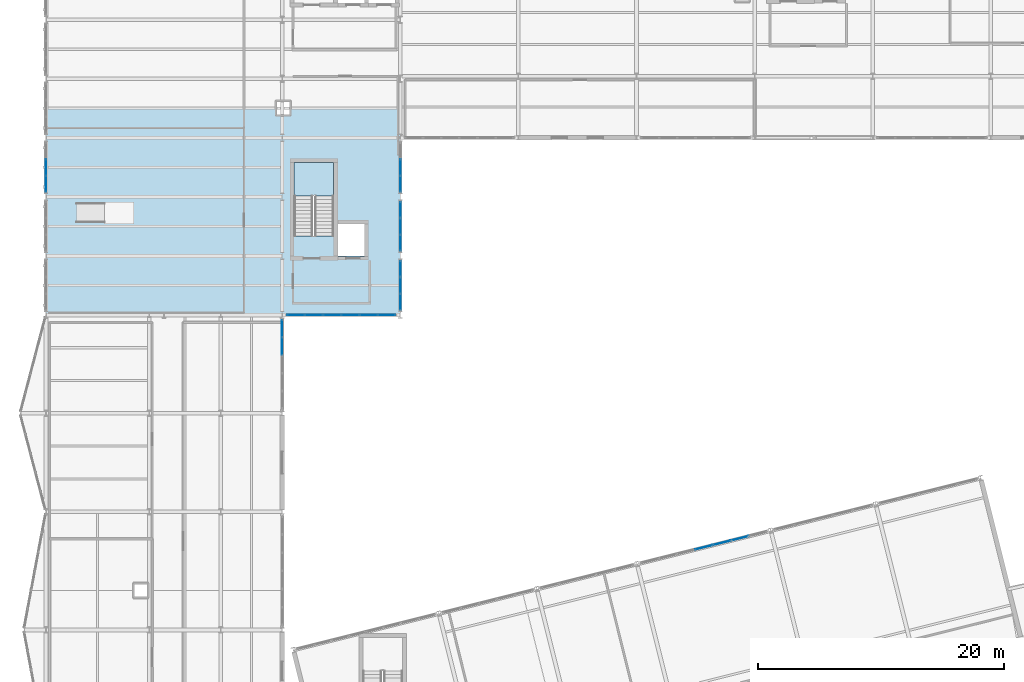
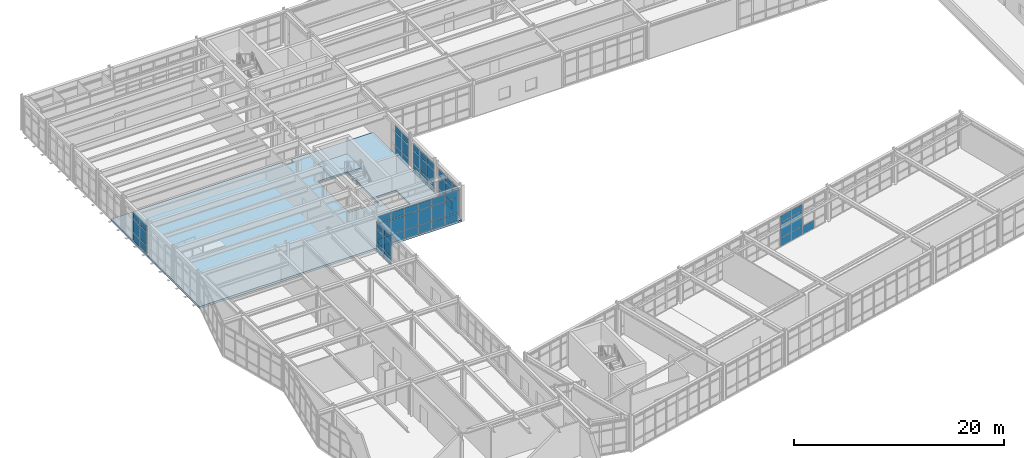
# One storey, part 50 of 76: 61 plates, 2 slabs, 8 elements without a shape of their own.
"""IFC4 building model written with IfcOpenShell, lengths in metres."""

import ifcopenshell
import ifcopenshell.guid

model = None  # the IFC model being written
_history = None  # IfcOwnerHistory: only IFC2X3 demands one
_inside = {}  # id of a spatial element -> (the spatial element, [elements in it])
_under = {}  # id of a project, library or spatial element -> (it, [spatial elements below it])
_declared = {}  # id of a project -> (the project, [libraries it declares])
_typed = {}  # id of a type object -> (the type object, [elements of that type])
_made_of = {}  # id of a material, layer set ... -> (it, [elements and type objects made of it])


def new_model(schema):
    """Start an empty IFC model of exactly this schema.

    Asked for "IFC4X3", IfcOpenShell would pick the latest addendum, in which some entities
    have other attributes; the version numbers below select the first issue.
    IFC2X3 requires an IfcOwnerHistory on every rooted entity: one is made here for all.
    """
    global model, _history
    if schema == "IFC4X3":
        model = ifcopenshell.file(schema_version=(4, 3, 0, 0))
    else:
        model = ifcopenshell.file(schema=schema)
    _inside.clear()
    _under.clear()
    _declared.clear()
    _typed.clear()
    _made_of.clear()
    _history = None
    if model.schema == "IFC2X3":
        org = make("IfcOrganization", Name="unknown")
        user = make(
            "IfcPersonAndOrganization",
            ThePerson=make("IfcPerson", FamilyName="unknown"),
            TheOrganization=org,
        )
        app = make(
            "IfcApplication",
            ApplicationDeveloper=org,
            Version="unknown",
            ApplicationFullName="unknown",
            ApplicationIdentifier="unknown",
        )
        _history = make(
            "IfcOwnerHistory",
            OwningUser=user,
            OwningApplication=app,
            ChangeAction="ADDED",
            CreationDate=0,
        )
    return model


def make(cls, **values):
    """One entity of the class cls with the attributes given. An attribute that is None is left unset."""
    return model.create_entity(
        cls, **{name: value for name, value in values.items() if value is not None}
    )


def rooted(cls, **values):
    """An entity with a GlobalId (a new one), such as an element, a storey or a relation."""
    return make(cls, GlobalId=ifcopenshell.guid.new(), OwnerHistory=_history, **values)


def si_unit(unit_type, name, prefix=None):
    """IfcSIUnit, for example si_unit("LENGTHUNIT", "METRE", prefix="MILLI")."""
    return make("IfcSIUnit", UnitType=unit_type, Prefix=prefix, Name=name)


def assignment(units):
    """IfcUnitAssignment: the units of a project."""
    return None if units is None else make("IfcUnitAssignment", Units=units)


def point(xyz):
    """IfcCartesianPoint."""
    return None if xyz is None else make("IfcCartesianPoint", Coordinates=xyz)


def direction(xyz):
    """IfcDirection."""
    return None if xyz is None else make("IfcDirection", DirectionRatios=xyz)


def frame(location, z_axis=None, x_axis=None):
    """IfcAxis2Placement3D, a coordinate frame: its origin and axes. An axis left out is left unset."""
    return make(
        "IfcAxis2Placement3D",
        Location=point(location),
        Axis=direction(z_axis),
        RefDirection=direction(x_axis),
    )


def frame_2d(location, x_axis=None):
    """IfcAxis2Placement2D, a coordinate frame in the plane: its origin and x axis."""
    return make(
        "IfcAxis2Placement2D", Location=point(location), RefDirection=direction(x_axis)
    )


def origin():
    """The frame at (0, 0, 0) with its axes left unset."""
    return frame((0.0, 0.0, 0.0))


def origin_2d():
    """The frame at (0, 0) in the plane with its x axis left unset."""
    return frame_2d((0.0, 0.0))


def place(relative_to, where):
    """IfcLocalPlacement: puts the frame where relative to a parent placement (None: the world)."""
    return make(
        "IfcLocalPlacement", PlacementRelTo=relative_to, RelativePlacement=where
    )


def context(
    kind, dimensions, precision=None, world=None, true_north=None, identifier=None
):
    """IfcGeometricRepresentationContext, for example the 3D "Model" context."""
    return make(
        "IfcGeometricRepresentationContext",
        ContextIdentifier=identifier,
        ContextType=kind,
        CoordinateSpaceDimension=dimensions,
        Precision=precision,
        WorldCoordinateSystem=world,
        TrueNorth=true_north,
    )


def subcontext(parent, identifier, kind, view, scale=None):
    """IfcGeometricRepresentationSubContext, for example "Body" below "Model"."""
    return make(
        "IfcGeometricRepresentationSubContext",
        ContextIdentifier=identifier,
        ContextType=kind,
        ParentContext=parent,
        TargetScale=scale,
        TargetView=view,
    )


def project(units=None, contexts=None):
    """IfcProject with its units and contexts."""
    return rooted(
        "IfcProject",
        Name="project",
        RepresentationContexts=contexts,
        UnitsInContext=assignment(units),
    )


def spatial(cls, under=None, at=None, **own):
    """A site, building, storey or space (cls), placed at a placement, below another one or the project."""
    s = rooted(cls, ObjectPlacement=at, **own)
    if under is not None:
        _under.setdefault(under.id(), (under, []))[1].append(s)
    return s


def polyline(points):
    """IfcPolyline through the points."""
    return make("IfcPolyline", Points=[point(p) for p in points])


def profile(cls, at=None, kind="AREA", **sizes):
    """A parametric profile (cls). Its sizes go by their IFC names, for example OverallWidth=200.0."""
    return make(cls, ProfileType=kind, Position=at, **sizes)


def rectangle(**sizes):
    """IfcRectangleProfileDef."""
    return profile("IfcRectangleProfileDef", **sizes)


def outline(outer, holes=None, kind="AREA"):
    """IfcArbitraryClosedProfileDef: a profile drawn as a closed curve; with holes, ...WithVoids."""
    if holes is None:
        return make("IfcArbitraryClosedProfileDef", ProfileType=kind, OuterCurve=outer)
    return make(
        "IfcArbitraryProfileDefWithVoids",
        ProfileType=kind,
        OuterCurve=outer,
        InnerCurves=holes,
    )


def extrude(swept, where, along, depth):
    """IfcExtrudedAreaSolid: the profile swept, set in the frame where, extruded along a direction by depth."""
    return make(
        "IfcExtrudedAreaSolid",
        SweptArea=swept,
        Position=where,
        ExtrudedDirection=direction(along),
        Depth=depth,
    )


def shape(context_of_items, identifier, shape_type, items):
    """IfcShapeRepresentation: the items that make up one representation, for example the "Body"."""
    return make(
        "IfcShapeRepresentation",
        ContextOfItems=context_of_items,
        RepresentationIdentifier=identifier,
        RepresentationType=shape_type,
        Items=items,
    )


def material(Name=None, Category=None):
    """IfcMaterial."""
    return make("IfcMaterial", Name=Name, Category=Category)


def layer(
    of_material, thickness, ventilated=None, Name=None, Category=None, Priority=None
):
    """IfcMaterialLayer: one layer of a wall or slab, of a material (None: an air gap)."""
    return make(
        "IfcMaterialLayer",
        Material=of_material,
        LayerThickness=thickness,
        IsVentilated=ventilated,
        Name=Name,
        Category=Category,
        Priority=Priority,
    )


def layer_set(layers, Name=None):
    """IfcMaterialLayerSet."""
    return make("IfcMaterialLayerSet", MaterialLayers=layers, LayerSetName=Name)


def made_of(thing, what):
    """Note that an element or type object is made of a material, layer set ...; save() writes the relation."""
    if what is not None:
        _made_of.setdefault(what.id(), (what, []))[1].append(thing)
    return thing


def type_object(cls, material=None, **own):
    """A type object (cls), such as IfcWallType, which elements share."""
    return made_of(rooted(cls, **own), material)


def element(
    cls,
    number,
    at=None,
    inside=None,
    cuts=None,
    type_object=None,
    material=None,
    context=None,
    identifier="Body",
    shape_type=None,
    held_by="IfcProductDefinitionShape",
    body=None,
    shapes=None,
    **own,
):
    """One element of the class cls, such as IfcWall. Its Tag is "e" and its number.

    at: its placement. inside: the storey or other place that contains it. cuts: it is an
    opening in that element (IfcRelVoidsElement). A single representation is given by context,
    identifier, shape_type and body (its items); several are given by shapes. held_by: the class
    of the entity that holds the representations. save() writes the other relations.
    """
    e = rooted(cls, Tag="e%d" % number, ObjectPlacement=at, **own)
    if body is not None:
        shapes = [shape(context, identifier, shape_type, body)]
    if shapes is not None:
        e.Representation = make(held_by, Representations=shapes)
    if inside is not None:
        _inside.setdefault(inside.id(), (inside, []))[1].append(e)
    if cuts is not None:
        rooted(
            "IfcRelVoidsElement", RelatingBuildingElement=cuts, RelatedOpeningElement=e
        )
    if type_object is not None:
        _typed.setdefault(type_object.id(), (type_object, []))[1].append(e)
    return made_of(e, material)


def aggregate(whole, parts):
    """IfcRelAggregates: a whole, such as a stair, and the parts it consists of."""
    return rooted("IfcRelAggregates", RelatingObject=whole, RelatedObjects=parts)


def save(model, path):
    """Write the relations noted so far, then the file.

    IfcRelAggregates (storeys below a building ...), IfcRelContainedInSpatialStructure (elements
    in a storey), IfcRelDefinesByType, IfcRelAssociatesMaterial and IfcRelDeclares: one each for
    every whole, place, type object, material and project.
    """
    for whole, parts in _under.values():
        aggregate(whole, parts)
    for where, things in _inside.values():
        rooted(
            "IfcRelContainedInSpatialStructure",
            RelatedElements=things,
            RelatingStructure=where,
        )
    for kind, things in _typed.values():
        rooted("IfcRelDefinesByType", RelatedObjects=things, RelatingType=kind)
    for what, things in _made_of.values():
        rooted("IfcRelAssociatesMaterial", RelatedObjects=things, RelatingMaterial=what)
    for by, libraries in _declared.values():
        rooted("IfcRelDeclares", RelatingContext=by, RelatedDefinitions=libraries)
    model.write(path)


model = new_model("IFC4")

# Units and contexts
model_context = context("Model", 3, precision=1e-05, world=origin(), true_north=direction((0.0, 1.0)))
body_context = subcontext(model_context, "Body", "Model", "MODEL_VIEW")
ifc_project = project(units=[si_unit("LENGTHUNIT", "METRE"), si_unit("AREAUNIT", "SQUARE_METRE"), si_unit("VOLUMEUNIT", "CUBIC_METRE"), si_unit("PLANEANGLEUNIT", "RADIAN"), si_unit("MASSUNIT", "GRAM", prefix="KILO")], contexts=[model_context])

# Site, building, storey
site_placement = place(None, origin())
site = spatial("IfcSite", under=ifc_project, at=site_placement, CompositionType="ELEMENT")
building_placement = place(site_placement, origin())
building = spatial("IfcBuilding", under=site, at=building_placement, Name="Nordkorset Police Headquarters", CompositionType="ELEMENT")
storey_placement = place(building_placement, frame((0.0, 0.0, 13.64990234375)))
storey = spatial("IfcBuildingStorey", under=building, at=storey_placement, Name="L03", CompositionType="ELEMENT", Elevation=13.64990234375)

# Curtain wall, plates
ifc_material_1 = material(Name="Aluminium alloy AW-6060", Category="aluminium")
ifc_layer_1 = layer(ifc_material_1, 0.179931640625, Name="Aluminium alloy AW-6060")
ifc_layer_set_1 = layer_set([ifc_layer_1], Name="Aluminium alloy AW-6060")
curtain_wall_type_1 = type_object("IfcCurtainWallType", Name="CW_Unit_408x342", PredefinedType="USERDEFINED", material=ifc_layer_set_1)
curtain_wall_1_placement = place(storey_placement, origin())
curtain_wall_1 = element("IfcCurtainWall", 1, at=curtain_wall_1_placement, inside=storey, type_object=curtain_wall_type_1, Name="Unitised Curtain Wall L03 V1W-2", ObjectType="UNITISED CURTAIN WALL", PredefinedType="USERDEFINED")
ifc_material_2 = material(Name="Low-iron triple glazing", Category="glass")
ifc_layer_2 = layer(ifc_material_2, 0.035888671875, Name="Low-iron triple glazing")
ifc_layer_set_2 = layer_set([ifc_layer_2], Name="Low-iron triple glazing")
plate_type = type_object("IfcPlateType", Name="CW_Panel_TripleGlazing_36", PredefinedType="CURTAIN_PANEL", material=ifc_layer_set_2)
plate_1_placement = place(storey_placement, frame((0.0, 93.856201171875, 0.06494140625), z_axis=(0.0, 0.0, 1.0), x_axis=(0.0, 1.0, 0.0)))
plate_1 = element("IfcPlate", 2, at=plate_1_placement, type_object=plate_type, Name="CW-72 panel 1.1", PredefinedType="CURTAIN_PANEL", context=body_context, shape_type="SweptSolid", body=[
    extrude(rectangle(XDim=1.262451171875, YDim=0.035888671875, at=origin_2d()), origin(), (0.0, 0.0, 1.0), 0.902587890625),
])
plate_2_placement = place(storey_placement, frame((0.0, 93.856201171875, 1.03271484375), z_axis=(0.0, 0.0, 1.0), x_axis=(0.0, 1.0, 0.0)))
plate_2 = element("IfcPlate", 3, at=plate_2_placement, type_object=plate_type, Name="CW-72 panel 1.2", PredefinedType="CURTAIN_PANEL", context=body_context, shape_type="SweptSolid", body=[
    extrude(rectangle(XDim=1.262451171875, YDim=0.035888671875, at=origin_2d()), origin(), (0.0, 0.0, 1.0), 1.5048828125),
])
plate_3_placement = place(storey_placement, frame((0.0, 93.856201171875, 2.6025390625), z_axis=(0.0, 0.0, 1.0), x_axis=(0.0, 1.0, 0.0)))
plate_3 = element("IfcPlate", 4, at=plate_3_placement, type_object=plate_type, Name="CW-72 panel 1.3", PredefinedType="CURTAIN_PANEL", context=body_context, shape_type="SweptSolid", body=[
    extrude(rectangle(XDim=1.262451171875, YDim=0.035888671875, at=origin_2d()), origin(), (0.0, 0.0, 1.0), 0.75244140625),
])
plate_4_placement = place(storey_placement, frame((0.0, 95.199951171875, 0.06494140625), z_axis=(0.0, 0.0, 1.0), x_axis=(0.0, 1.0, 0.0)))
plate_4 = element("IfcPlate", 5, at=plate_4_placement, type_object=plate_type, Name="CW-72 panel 2.1", PredefinedType="CURTAIN_PANEL", context=body_context, shape_type="SweptSolid", body=[
    extrude(rectangle(XDim=1.294921875, YDim=0.035888671875, at=origin_2d()), origin(), (0.0, 0.0, 1.0), 0.902587890625),
])
plate_5_placement = place(storey_placement, frame((0.0, 95.199951171875, 1.03271484375), z_axis=(0.0, 0.0, 1.0), x_axis=(0.0, 1.0, 0.0)))
plate_5 = element("IfcPlate", 6, at=plate_5_placement, type_object=plate_type, Name="CW-72 panel 2.2", PredefinedType="CURTAIN_PANEL", context=body_context, shape_type="SweptSolid", body=[
    extrude(rectangle(XDim=1.294921875, YDim=0.035888671875, at=origin_2d()), origin(), (0.0, 0.0, 1.0), 1.5048828125),
])
plate_6_placement = place(storey_placement, frame((0.0, 95.199951171875, 2.6025390625), z_axis=(0.0, 0.0, 1.0), x_axis=(0.0, 1.0, 0.0)))
plate_6 = element("IfcPlate", 7, at=plate_6_placement, type_object=plate_type, Name="CW-72 panel 2.3", PredefinedType="CURTAIN_PANEL", context=body_context, shape_type="SweptSolid", body=[
    extrude(rectangle(XDim=1.294921875, YDim=0.035888671875, at=origin_2d()), origin(), (0.0, 0.0, 1.0), 0.75244140625),
])
aggregate(curtain_wall_1, [plate_1, plate_2, plate_3, plate_4, plate_5, plate_6])

curtain_wall_2_placement = place(storey_placement, origin())
curtain_wall_2 = element("IfcCurtainWall", 8, at=curtain_wall_2_placement, inside=storey, type_object=curtain_wall_type_1, Name="Unitised Curtain Wall L03 V1E-0", ObjectType="UNITISED CURTAIN WALL", PredefinedType="USERDEFINED")
plate_7_placement = place(storey_placement, frame((28.800048828125, 84.25634765625, 0.06494140625), z_axis=(0.0, 0.0, 1.0), x_axis=(0.0, 1.0, 0.0)))
plate_7 = element("IfcPlate", 9, at=plate_7_placement, type_object=plate_type, Name="CW-72 panel 1.1", PredefinedType="CURTAIN_PANEL", context=body_context, shape_type="SweptSolid", body=[
    extrude(rectangle(XDim=1.262451171875, YDim=0.035888671875, at=origin_2d()), origin(), (0.0, 0.0, 1.0), 0.902587890625),
])
plate_8_placement = place(storey_placement, frame((28.800048828125, 84.25634765625, 1.03271484375), z_axis=(0.0, 0.0, 1.0), x_axis=(0.0, 1.0, 0.0)))
plate_8 = element("IfcPlate", 10, at=plate_8_placement, type_object=plate_type, Name="CW-72 panel 1.2", PredefinedType="CURTAIN_PANEL", context=body_context, shape_type="SweptSolid", body=[
    extrude(rectangle(XDim=1.262451171875, YDim=0.035888671875, at=origin_2d()), origin(), (0.0, 0.0, 1.0), 1.5048828125),
])
plate_9_placement = place(storey_placement, frame((28.800048828125, 84.25634765625, 2.6025390625), z_axis=(0.0, 0.0, 1.0), x_axis=(0.0, 1.0, 0.0)))
plate_9 = element("IfcPlate", 11, at=plate_9_placement, type_object=plate_type, Name="CW-72 panel 1.3", PredefinedType="CURTAIN_PANEL", context=body_context, shape_type="SweptSolid", body=[
    extrude(rectangle(XDim=1.262451171875, YDim=0.035888671875, at=origin_2d()), origin(), (0.0, 0.0, 1.0), 0.75244140625),
])
plate_10_placement = place(storey_placement, frame((28.800048828125, 85.60009765625, 0.06494140625), z_axis=(0.0, 0.0, 1.0), x_axis=(0.0, 1.0, 0.0)))
plate_10 = element("IfcPlate", 12, at=plate_10_placement, type_object=plate_type, Name="CW-72 panel 2.1", PredefinedType="CURTAIN_PANEL", context=body_context, shape_type="SweptSolid", body=[
    extrude(rectangle(XDim=1.294921875, YDim=0.035888671875, at=origin_2d()), origin(), (0.0, 0.0, 1.0), 0.902587890625),
])
plate_11_placement = place(storey_placement, frame((28.800048828125, 85.60009765625, 1.03271484375), z_axis=(0.0, 0.0, 1.0), x_axis=(0.0, 1.0, 0.0)))
plate_11 = element("IfcPlate", 13, at=plate_11_placement, type_object=plate_type, Name="CW-72 panel 2.2", PredefinedType="CURTAIN_PANEL", context=body_context, shape_type="SweptSolid", body=[
    extrude(rectangle(XDim=1.294921875, YDim=0.035888671875, at=origin_2d()), origin(), (0.0, 0.0, 1.0), 1.5048828125),
])
plate_12_placement = place(storey_placement, frame((28.800048828125, 85.60009765625, 2.6025390625), z_axis=(0.0, 0.0, 1.0), x_axis=(0.0, 1.0, 0.0)))
plate_12 = element("IfcPlate", 14, at=plate_12_placement, type_object=plate_type, Name="CW-72 panel 2.3", PredefinedType="CURTAIN_PANEL", context=body_context, shape_type="SweptSolid", body=[
    extrude(rectangle(XDim=1.294921875, YDim=0.035888671875, at=origin_2d()), origin(), (0.0, 0.0, 1.0), 0.75244140625),
])
plate_13_placement = place(storey_placement, frame((28.800048828125, 86.94384765625, 0.06494140625), z_axis=(0.0, 0.0, 1.0), x_axis=(0.0, 1.0, 0.0)))
plate_13 = element("IfcPlate", 15, at=plate_13_placement, type_object=plate_type, Name="CW-72 panel 3.1", PredefinedType="CURTAIN_PANEL", context=body_context, shape_type="SweptSolid", body=[
    extrude(rectangle(XDim=1.262451171875, YDim=0.035888671875, at=origin_2d()), origin(), (0.0, 0.0, 1.0), 0.902587890625),
])
plate_14_placement = place(storey_placement, frame((28.800048828125, 86.94384765625, 1.03271484375), z_axis=(0.0, 0.0, 1.0), x_axis=(0.0, 1.0, 0.0)))
plate_14 = element("IfcPlate", 16, at=plate_14_placement, type_object=plate_type, Name="CW-72 panel 3.2", PredefinedType="CURTAIN_PANEL", context=body_context, shape_type="SweptSolid", body=[
    extrude(rectangle(XDim=1.262451171875, YDim=0.035888671875, at=origin_2d()), origin(), (0.0, 0.0, 1.0), 1.5048828125),
])
plate_15_placement = place(storey_placement, frame((28.800048828125, 86.94384765625, 2.6025390625), z_axis=(0.0, 0.0, 1.0), x_axis=(0.0, 1.0, 0.0)))
plate_15 = element("IfcPlate", 17, at=plate_15_placement, type_object=plate_type, Name="CW-72 panel 3.3", PredefinedType="CURTAIN_PANEL", context=body_context, shape_type="SweptSolid", body=[
    extrude(rectangle(XDim=1.262451171875, YDim=0.035888671875, at=origin_2d()), origin(), (0.0, 0.0, 1.0), 0.75244140625),
])
aggregate(curtain_wall_2, [plate_7, plate_8, plate_9, plate_10, plate_11, plate_12, plate_13, plate_14, plate_15])

curtain_wall_3_placement = place(storey_placement, origin())
curtain_wall_3 = element("IfcCurtainWall", 18, at=curtain_wall_3_placement, inside=storey, type_object=curtain_wall_type_1, Name="Unitised Curtain Wall L03 V1E-1", ObjectType="UNITISED CURTAIN WALL", PredefinedType="USERDEFINED")
plate_16_placement = place(storey_placement, frame((28.800048828125, 89.05615234375, 0.06494140625), z_axis=(0.0, 0.0, 1.0), x_axis=(0.0, 1.0, 0.0)))
plate_16 = element("IfcPlate", 19, at=plate_16_placement, type_object=plate_type, Name="CW-72 panel 1.1", PredefinedType="CURTAIN_PANEL", context=body_context, shape_type="SweptSolid", body=[
    extrude(rectangle(XDim=1.262451171875, YDim=0.035888671875, at=origin_2d()), origin(), (0.0, 0.0, 1.0), 0.902587890625),
])
plate_17_placement = place(storey_placement, frame((28.800048828125, 89.05615234375, 1.03271484375), z_axis=(0.0, 0.0, 1.0), x_axis=(0.0, 1.0, 0.0)))
plate_17 = element("IfcPlate", 20, at=plate_17_placement, type_object=plate_type, Name="CW-72 panel 1.2", PredefinedType="CURTAIN_PANEL", context=body_context, shape_type="SweptSolid", body=[
    extrude(rectangle(XDim=1.262451171875, YDim=0.035888671875, at=origin_2d()), origin(), (0.0, 0.0, 1.0), 1.5048828125),
])
plate_18_placement = place(storey_placement, frame((28.800048828125, 89.05615234375, 2.6025390625), z_axis=(0.0, 0.0, 1.0), x_axis=(0.0, 1.0, 0.0)))
plate_18 = element("IfcPlate", 21, at=plate_18_placement, type_object=plate_type, Name="CW-72 panel 1.3", PredefinedType="CURTAIN_PANEL", context=body_context, shape_type="SweptSolid", body=[
    extrude(rectangle(XDim=1.262451171875, YDim=0.035888671875, at=origin_2d()), origin(), (0.0, 0.0, 1.0), 0.75244140625),
])
plate_19_placement = place(storey_placement, frame((28.800048828125, 90.39990234375, 0.06494140625), z_axis=(0.0, 0.0, 1.0), x_axis=(0.0, 1.0, 0.0)))
plate_19 = element("IfcPlate", 22, at=plate_19_placement, type_object=plate_type, Name="CW-72 panel 2.1", PredefinedType="CURTAIN_PANEL", context=body_context, shape_type="SweptSolid", body=[
    extrude(rectangle(XDim=1.294921875, YDim=0.035888671875, at=origin_2d()), origin(), (0.0, 0.0, 1.0), 0.902587890625),
])
plate_20_placement = place(storey_placement, frame((28.800048828125, 90.39990234375, 1.03271484375), z_axis=(0.0, 0.0, 1.0), x_axis=(0.0, 1.0, 0.0)))
plate_20 = element("IfcPlate", 23, at=plate_20_placement, type_object=plate_type, Name="CW-72 panel 2.2", PredefinedType="CURTAIN_PANEL", context=body_context, shape_type="SweptSolid", body=[
    extrude(rectangle(XDim=1.294921875, YDim=0.035888671875, at=origin_2d()), origin(), (0.0, 0.0, 1.0), 1.5048828125),
])
plate_21_placement = place(storey_placement, frame((28.800048828125, 90.39990234375, 2.6025390625), z_axis=(0.0, 0.0, 1.0), x_axis=(0.0, 1.0, 0.0)))
plate_21 = element("IfcPlate", 24, at=plate_21_placement, type_object=plate_type, Name="CW-72 panel 2.3", PredefinedType="CURTAIN_PANEL", context=body_context, shape_type="SweptSolid", body=[
    extrude(rectangle(XDim=1.294921875, YDim=0.035888671875, at=origin_2d()), origin(), (0.0, 0.0, 1.0), 0.75244140625),
])
plate_22_placement = place(storey_placement, frame((28.800048828125, 91.74365234375, 0.06494140625), z_axis=(0.0, 0.0, 1.0), x_axis=(0.0, 1.0, 0.0)))
plate_22 = element("IfcPlate", 25, at=plate_22_placement, type_object=plate_type, Name="CW-72 panel 3.1", PredefinedType="CURTAIN_PANEL", context=body_context, shape_type="SweptSolid", body=[
    extrude(rectangle(XDim=1.262451171875, YDim=0.035888671875, at=origin_2d()), origin(), (0.0, 0.0, 1.0), 0.902587890625),
])
plate_23_placement = place(storey_placement, frame((28.800048828125, 91.74365234375, 1.03271484375), z_axis=(0.0, 0.0, 1.0), x_axis=(0.0, 1.0, 0.0)))
plate_23 = element("IfcPlate", 26, at=plate_23_placement, type_object=plate_type, Name="CW-72 panel 3.2", PredefinedType="CURTAIN_PANEL", context=body_context, shape_type="SweptSolid", body=[
    extrude(rectangle(XDim=1.262451171875, YDim=0.035888671875, at=origin_2d()), origin(), (0.0, 0.0, 1.0), 1.5048828125),
])
plate_24_placement = place(storey_placement, frame((28.800048828125, 91.74365234375, 2.6025390625), z_axis=(0.0, 0.0, 1.0), x_axis=(0.0, 1.0, 0.0)))
plate_24 = element("IfcPlate", 27, at=plate_24_placement, type_object=plate_type, Name="CW-72 panel 3.3", PredefinedType="CURTAIN_PANEL", context=body_context, shape_type="SweptSolid", body=[
    extrude(rectangle(XDim=1.262451171875, YDim=0.035888671875, at=origin_2d()), origin(), (0.0, 0.0, 1.0), 0.75244140625),
])
aggregate(curtain_wall_3, [plate_16, plate_17, plate_18, plate_19, plate_20, plate_21, plate_22, plate_23, plate_24])

curtain_wall_4_placement = place(storey_placement, origin())
curtain_wall_4 = element("IfcCurtainWall", 28, at=curtain_wall_4_placement, inside=storey, type_object=curtain_wall_type_1, Name="Unitised Curtain Wall L03 V1E-2", ObjectType="UNITISED CURTAIN WALL", PredefinedType="USERDEFINED")
plate_25_placement = place(storey_placement, frame((28.800048828125, 93.856201171875, 0.06494140625), z_axis=(0.0, 0.0, 1.0), x_axis=(0.0, 1.0, 0.0)))
plate_25 = element("IfcPlate", 29, at=plate_25_placement, type_object=plate_type, Name="CW-72 panel 1.1", PredefinedType="CURTAIN_PANEL", context=body_context, shape_type="SweptSolid", body=[
    extrude(rectangle(XDim=1.262451171875, YDim=0.035888671875, at=origin_2d()), origin(), (0.0, 0.0, 1.0), 0.902587890625),
])
plate_26_placement = place(storey_placement, frame((28.800048828125, 93.856201171875, 1.03271484375), z_axis=(0.0, 0.0, 1.0), x_axis=(0.0, 1.0, 0.0)))
plate_26 = element("IfcPlate", 30, at=plate_26_placement, type_object=plate_type, Name="CW-72 panel 1.2", PredefinedType="CURTAIN_PANEL", context=body_context, shape_type="SweptSolid", body=[
    extrude(rectangle(XDim=1.262451171875, YDim=0.035888671875, at=origin_2d()), origin(), (0.0, 0.0, 1.0), 1.5048828125),
])
plate_27_placement = place(storey_placement, frame((28.800048828125, 93.856201171875, 2.6025390625), z_axis=(0.0, 0.0, 1.0), x_axis=(0.0, 1.0, 0.0)))
plate_27 = element("IfcPlate", 31, at=plate_27_placement, type_object=plate_type, Name="CW-72 panel 1.3", PredefinedType="CURTAIN_PANEL", context=body_context, shape_type="SweptSolid", body=[
    extrude(rectangle(XDim=1.262451171875, YDim=0.035888671875, at=origin_2d()), origin(), (0.0, 0.0, 1.0), 0.75244140625),
])
plate_28_placement = place(storey_placement, frame((28.800048828125, 95.199951171875, 0.06494140625), z_axis=(0.0, 0.0, 1.0), x_axis=(0.0, 1.0, 0.0)))
plate_28 = element("IfcPlate", 32, at=plate_28_placement, type_object=plate_type, Name="CW-72 panel 2.1", PredefinedType="CURTAIN_PANEL", context=body_context, shape_type="SweptSolid", body=[
    extrude(rectangle(XDim=1.294921875, YDim=0.035888671875, at=origin_2d()), origin(), (0.0, 0.0, 1.0), 0.902587890625),
])
plate_29_placement = place(storey_placement, frame((28.800048828125, 95.199951171875, 1.03271484375), z_axis=(0.0, 0.0, 1.0), x_axis=(0.0, 1.0, 0.0)))
plate_29 = element("IfcPlate", 33, at=plate_29_placement, type_object=plate_type, Name="CW-72 panel 2.2", PredefinedType="CURTAIN_PANEL", context=body_context, shape_type="SweptSolid", body=[
    extrude(rectangle(XDim=1.294921875, YDim=0.035888671875, at=origin_2d()), origin(), (0.0, 0.0, 1.0), 1.5048828125),
])
plate_30_placement = place(storey_placement, frame((28.800048828125, 95.199951171875, 2.6025390625), z_axis=(0.0, 0.0, 1.0), x_axis=(0.0, 1.0, 0.0)))
plate_30 = element("IfcPlate", 34, at=plate_30_placement, type_object=plate_type, Name="CW-72 panel 2.3", PredefinedType="CURTAIN_PANEL", context=body_context, shape_type="SweptSolid", body=[
    extrude(rectangle(XDim=1.294921875, YDim=0.035888671875, at=origin_2d()), origin(), (0.0, 0.0, 1.0), 0.75244140625),
])
aggregate(curtain_wall_4, [plate_25, plate_26, plate_27, plate_28, plate_29, plate_30])

ifc_material_3 = material(Name="Aluminium alloy AW-6060", Category="aluminium")
ifc_layer_3 = layer(ifc_material_3, 0.179931640625, Name="Aluminium alloy AW-6060")
ifc_layer_set_3 = layer_set([ifc_layer_3], Name="Aluminium alloy AW-6060")
curtain_wall_type_2 = type_object("IfcCurtainWallType", Name="CW_Unit_888x364", PredefinedType="USERDEFINED", material=ifc_layer_set_3)
curtain_wall_5_placement = place(storey_placement, origin())
curtain_wall_5 = element("IfcCurtainWall", 35, at=curtain_wall_5_placement, inside=storey, type_object=curtain_wall_type_2, Name="Unitised Curtain Wall L03 V1S-2", ObjectType="UNITISED CURTAIN WALL", PredefinedType="USERDEFINED")
plate_31_placement = place(storey_placement, frame((20.316162109375, 83.199951171875, 0.06494140625), z_axis=(0.0, 0.0, 1.0), x_axis=(1.0, 0.0, 0.0)))
plate_31 = element("IfcPlate", 36, at=plate_31_placement, type_object=plate_type, Name="CW-53 panel 1.1", PredefinedType="CURTAIN_PANEL", context=body_context, shape_type="SweptSolid", body=[
    extrude(rectangle(XDim=1.382568359375, YDim=0.035888671875, at=origin_2d()), origin(), (0.0, 0.0, 1.0), 0.902587890625),
])
plate_32_placement = place(storey_placement, frame((20.316162109375, 83.199951171875, 1.03271484375), z_axis=(0.0, 0.0, 1.0), x_axis=(1.0, 0.0, 0.0)))
plate_32 = element("IfcPlate", 37, at=plate_32_placement, type_object=plate_type, Name="CW-53 panel 1.2", PredefinedType="CURTAIN_PANEL", context=body_context, shape_type="SweptSolid", body=[
    extrude(rectangle(XDim=1.382568359375, YDim=0.035888671875, at=origin_2d()), origin(), (0.0, 0.0, 1.0), 1.719970703125),
])
plate_33_placement = place(storey_placement, frame((20.316162109375, 83.199951171875, 2.817626953125), z_axis=(0.0, 0.0, 1.0), x_axis=(1.0, 0.0, 0.0)))
plate_33 = element("IfcPlate", 38, at=plate_33_placement, type_object=plate_type, Name="CW-53 panel 1.3", PredefinedType="CURTAIN_PANEL", context=body_context, shape_type="SweptSolid", body=[
    extrude(rectangle(XDim=1.382568359375, YDim=0.035888671875, at=origin_2d()), origin(), (0.0, 0.0, 1.0), 0.75244140625),
])
plate_34_placement = place(storey_placement, frame((21.780029296875, 83.199951171875, 0.06494140625), z_axis=(0.0, 0.0, 1.0), x_axis=(1.0, 0.0, 0.0)))
plate_34 = element("IfcPlate", 39, at=plate_34_placement, type_object=plate_type, Name="CW-53 panel 2.1", PredefinedType="CURTAIN_PANEL", context=body_context, shape_type="SweptSolid", body=[
    extrude(rectangle(XDim=1.4150390625, YDim=0.035888671875, at=origin_2d()), origin(), (0.0, 0.0, 1.0), 0.902587890625),
])
plate_35_placement = place(storey_placement, frame((21.780029296875, 83.199951171875, 1.03271484375), z_axis=(0.0, 0.0, 1.0), x_axis=(1.0, 0.0, 0.0)))
plate_35 = element("IfcPlate", 40, at=plate_35_placement, type_object=plate_type, Name="CW-53 panel 2.2", PredefinedType="CURTAIN_PANEL", context=body_context, shape_type="SweptSolid", body=[
    extrude(rectangle(XDim=1.4150390625, YDim=0.035888671875, at=origin_2d()), origin(), (0.0, 0.0, 1.0), 1.719970703125),
])
plate_36_placement = place(storey_placement, frame((21.780029296875, 83.199951171875, 2.817626953125), z_axis=(0.0, 0.0, 1.0), x_axis=(1.0, 0.0, 0.0)))
plate_36 = element("IfcPlate", 41, at=plate_36_placement, type_object=plate_type, Name="CW-53 panel 2.3", PredefinedType="CURTAIN_PANEL", context=body_context, shape_type="SweptSolid", body=[
    extrude(rectangle(XDim=1.4150390625, YDim=0.035888671875, at=origin_2d()), origin(), (0.0, 0.0, 1.0), 0.75244140625),
])
plate_37_placement = place(storey_placement, frame((23.260009765625, 83.199951171875, 0.06494140625), z_axis=(0.0, 0.0, 1.0), x_axis=(1.0, 0.0, 0.0)))
plate_37 = element("IfcPlate", 42, at=plate_37_placement, type_object=plate_type, Name="CW-53 panel 3.1", PredefinedType="CURTAIN_PANEL", context=body_context, shape_type="SweptSolid", body=[
    extrude(rectangle(XDim=1.4150390625, YDim=0.035888671875, at=origin_2d()), origin(), (0.0, 0.0, 1.0), 0.902587890625),
])
plate_38_placement = place(storey_placement, frame((23.260009765625, 83.199951171875, 1.03271484375), z_axis=(0.0, 0.0, 1.0), x_axis=(1.0, 0.0, 0.0)))
plate_38 = element("IfcPlate", 43, at=plate_38_placement, type_object=plate_type, Name="CW-53 panel 3.2", PredefinedType="CURTAIN_PANEL", context=body_context, shape_type="SweptSolid", body=[
    extrude(rectangle(XDim=1.4150390625, YDim=0.035888671875, at=origin_2d()), origin(), (0.0, 0.0, 1.0), 1.719970703125),
])
plate_39_placement = place(storey_placement, frame((23.260009765625, 83.199951171875, 2.817626953125), z_axis=(0.0, 0.0, 1.0), x_axis=(1.0, 0.0, 0.0)))
plate_39 = element("IfcPlate", 44, at=plate_39_placement, type_object=plate_type, Name="CW-53 panel 3.3", PredefinedType="CURTAIN_PANEL", context=body_context, shape_type="SweptSolid", body=[
    extrude(rectangle(XDim=1.4150390625, YDim=0.035888671875, at=origin_2d()), origin(), (0.0, 0.0, 1.0), 0.75244140625),
])
plate_40_placement = place(storey_placement, frame((24.739990234375, 83.199951171875, 0.06494140625), z_axis=(0.0, 0.0, 1.0), x_axis=(1.0, 0.0, 0.0)))
plate_40 = element("IfcPlate", 45, at=plate_40_placement, type_object=plate_type, Name="CW-53 panel 4.1", PredefinedType="CURTAIN_PANEL", context=body_context, shape_type="SweptSolid", body=[
    extrude(rectangle(XDim=1.4150390625, YDim=0.035888671875, at=origin_2d()), origin(), (0.0, 0.0, 1.0), 0.902587890625),
])
plate_41_placement = place(storey_placement, frame((24.739990234375, 83.199951171875, 1.03271484375), z_axis=(0.0, 0.0, 1.0), x_axis=(1.0, 0.0, 0.0)))
plate_41 = element("IfcPlate", 46, at=plate_41_placement, type_object=plate_type, Name="CW-53 panel 4.2", PredefinedType="CURTAIN_PANEL", context=body_context, shape_type="SweptSolid", body=[
    extrude(rectangle(XDim=1.4150390625, YDim=0.035888671875, at=origin_2d()), origin(), (0.0, 0.0, 1.0), 1.719970703125),
])
plate_42_placement = place(storey_placement, frame((24.739990234375, 83.199951171875, 2.817626953125), z_axis=(0.0, 0.0, 1.0), x_axis=(1.0, 0.0, 0.0)))
plate_42 = element("IfcPlate", 47, at=plate_42_placement, type_object=plate_type, Name="CW-53 panel 4.3", PredefinedType="CURTAIN_PANEL", context=body_context, shape_type="SweptSolid", body=[
    extrude(rectangle(XDim=1.4150390625, YDim=0.035888671875, at=origin_2d()), origin(), (0.0, 0.0, 1.0), 0.75244140625),
])
plate_43_placement = place(storey_placement, frame((26.219970703125, 83.199951171875, 0.06494140625), z_axis=(0.0, 0.0, 1.0), x_axis=(1.0, 0.0, 0.0)))
plate_43 = element("IfcPlate", 48, at=plate_43_placement, type_object=plate_type, Name="CW-53 panel 5.1", PredefinedType="CURTAIN_PANEL", context=body_context, shape_type="SweptSolid", body=[
    extrude(rectangle(XDim=1.4150390625, YDim=0.035888671875, at=origin_2d()), origin(), (0.0, 0.0, 1.0), 0.902587890625),
])
plate_44_placement = place(storey_placement, frame((26.219970703125, 83.199951171875, 1.03271484375), z_axis=(0.0, 0.0, 1.0), x_axis=(1.0, 0.0, 0.0)))
plate_44 = element("IfcPlate", 49, at=plate_44_placement, type_object=plate_type, Name="CW-53 panel 5.2", PredefinedType="CURTAIN_PANEL", context=body_context, shape_type="SweptSolid", body=[
    extrude(rectangle(XDim=1.4150390625, YDim=0.035888671875, at=origin_2d()), origin(), (0.0, 0.0, 1.0), 1.719970703125),
])
plate_45_placement = place(storey_placement, frame((26.219970703125, 83.199951171875, 2.817626953125), z_axis=(0.0, 0.0, 1.0), x_axis=(1.0, 0.0, 0.0)))
plate_45 = element("IfcPlate", 50, at=plate_45_placement, type_object=plate_type, Name="CW-53 panel 5.3", PredefinedType="CURTAIN_PANEL", context=body_context, shape_type="SweptSolid", body=[
    extrude(rectangle(XDim=1.4150390625, YDim=0.035888671875, at=origin_2d()), origin(), (0.0, 0.0, 1.0), 0.75244140625),
])
plate_46_placement = place(storey_placement, frame((27.683837890625, 83.199951171875, 0.06494140625), z_axis=(0.0, 0.0, 1.0), x_axis=(1.0, 0.0, 0.0)))
plate_46 = element("IfcPlate", 51, at=plate_46_placement, type_object=plate_type, Name="CW-53 panel 6.1", PredefinedType="CURTAIN_PANEL", context=body_context, shape_type="SweptSolid", body=[
    extrude(rectangle(XDim=1.382568359375, YDim=0.035888671875, at=origin_2d()), origin(), (0.0, 0.0, 1.0), 0.902587890625),
])
plate_47_placement = place(storey_placement, frame((27.683837890625, 83.199951171875, 1.03271484375), z_axis=(0.0, 0.0, 1.0), x_axis=(1.0, 0.0, 0.0)))
plate_47 = element("IfcPlate", 52, at=plate_47_placement, type_object=plate_type, Name="CW-53 panel 6.2", PredefinedType="CURTAIN_PANEL", context=body_context, shape_type="SweptSolid", body=[
    extrude(rectangle(XDim=1.382568359375, YDim=0.035888671875, at=origin_2d()), origin(), (0.0, 0.0, 1.0), 1.719970703125),
])
plate_48_placement = place(storey_placement, frame((27.683837890625, 83.199951171875, 2.817626953125), z_axis=(0.0, 0.0, 1.0), x_axis=(1.0, 0.0, 0.0)))
plate_48 = element("IfcPlate", 53, at=plate_48_placement, type_object=plate_type, Name="CW-53 panel 6.3", PredefinedType="CURTAIN_PANEL", context=body_context, shape_type="SweptSolid", body=[
    extrude(rectangle(XDim=1.382568359375, YDim=0.035888671875, at=origin_2d()), origin(), (0.0, 0.0, 1.0), 0.75244140625),
])
aggregate(curtain_wall_5, [plate_31, plate_32, plate_33, plate_34, plate_35, plate_36, plate_37, plate_38, plate_39, plate_40, plate_41, plate_42, plate_43, plate_44, plate_45, plate_46, plate_47, plate_48])

ifc_material_4 = material(Name="Aluminium alloy AW-6060", Category="aluminium")
ifc_layer_4 = layer(ifc_material_4, 0.179931640625, Name="Aluminium alloy AW-6060")
ifc_layer_set_4 = layer_set([ifc_layer_4], Name="Aluminium alloy AW-6060")
curtain_wall_type_3 = type_object("IfcCurtainWallType", Name="CW_Unit_728x350", PredefinedType="USERDEFINED", material=ifc_layer_set_4)
curtain_wall_6_placement = place(storey_placement, origin())
curtain_wall_6 = element("IfcCurtainWall", 54, at=curtain_wall_6_placement, inside=storey, type_object=curtain_wall_type_3, Name="Unitised Curtain Wall L03 V3E-5", ObjectType="UNITISED CURTAIN WALL", PredefinedType="USERDEFINED")
plate_49_placement = place(storey_placement, frame((19.199951171875, 80.656005859375, 0.06494140625), z_axis=(0.0, 0.0, 1.0), x_axis=(0.0, 1.0, 0.0)))
plate_49 = element("IfcPlate", 55, at=plate_49_placement, type_object=plate_type, Name="CW-70 panel 4.1", PredefinedType="CURTAIN_PANEL", context=body_context, shape_type="SweptSolid", body=[
    extrude(rectangle(XDim=1.39111328125, YDim=0.035888671875, at=origin_2d()), origin(), (0.0, 0.0, 1.0), 0.902587890625),
])
plate_50_placement = place(storey_placement, frame((19.199951171875, 80.656005859375, 1.03271484375), z_axis=(0.0, 0.0, 1.0), x_axis=(0.0, 1.0, 0.0)))
plate_50 = element("IfcPlate", 56, at=plate_50_placement, type_object=plate_type, Name="CW-70 panel 4.2", PredefinedType="CURTAIN_PANEL", context=body_context, shape_type="SweptSolid", body=[
    extrude(rectangle(XDim=1.39111328125, YDim=0.035888671875, at=origin_2d()), origin(), (0.0, 0.0, 1.0), 1.590087890625),
])
plate_51_placement = place(storey_placement, frame((19.199951171875, 80.656005859375, 2.687744140625), z_axis=(0.0, 0.0, 1.0), x_axis=(0.0, 1.0, 0.0)))
plate_51 = element("IfcPlate", 57, at=plate_51_placement, type_object=plate_type, Name="CW-70 panel 4.3", PredefinedType="CURTAIN_PANEL", context=body_context, shape_type="SweptSolid", body=[
    extrude(rectangle(XDim=1.39111328125, YDim=0.035888671875, at=origin_2d()), origin(), (0.0, 0.0, 1.0), 0.75244140625),
])
plate_52_placement = place(storey_placement, frame((19.199951171875, 82.095703125, 0.06494140625), z_axis=(0.0, 0.0, 1.0), x_axis=(0.0, 1.0, 0.0)))
plate_52 = element("IfcPlate", 58, at=plate_52_placement, type_object=plate_type, Name="CW-70 panel 5.1", PredefinedType="CURTAIN_PANEL", context=body_context, shape_type="SweptSolid", body=[
    extrude(rectangle(XDim=1.3583984375, YDim=0.035888671875, at=origin_2d()), origin(), (0.0, 0.0, 1.0), 0.902587890625),
])
plate_53_placement = place(storey_placement, frame((19.199951171875, 82.095703125, 1.03271484375), z_axis=(0.0, 0.0, 1.0), x_axis=(0.0, 1.0, 0.0)))
plate_53 = element("IfcPlate", 59, at=plate_53_placement, type_object=plate_type, Name="CW-70 panel 5.2", PredefinedType="CURTAIN_PANEL", context=body_context, shape_type="SweptSolid", body=[
    extrude(rectangle(XDim=1.3583984375, YDim=0.035888671875, at=origin_2d()), origin(), (0.0, 0.0, 1.0), 1.590087890625),
])
plate_54_placement = place(storey_placement, frame((19.199951171875, 82.095703125, 2.687744140625), z_axis=(0.0, 0.0, 1.0), x_axis=(0.0, 1.0, 0.0)))
plate_54 = element("IfcPlate", 60, at=plate_54_placement, type_object=plate_type, Name="CW-70 panel 5.3", PredefinedType="CURTAIN_PANEL", context=body_context, shape_type="SweptSolid", body=[
    extrude(rectangle(XDim=1.3583984375, YDim=0.035888671875, at=origin_2d()), origin(), (0.0, 0.0, 1.0), 0.75244140625),
])
aggregate(curtain_wall_6, [plate_49, plate_50, plate_51, plate_52, plate_53, plate_54])

ifc_material_5 = material(Name="Aluminium alloy AW-6060", Category="aluminium")
ifc_layer_5 = layer(ifc_material_5, 0.179931640625, Name="Aluminium alloy AW-6060")
ifc_layer_set_5 = layer_set([ifc_layer_5], Name="Aluminium alloy AW-6060")
curtain_wall_type_4 = type_object("IfcCurtainWallType", Name="CW_Unit_1056x365", PredefinedType="USERDEFINED", material=ifc_layer_set_5)
curtain_wall_7_placement = place(storey_placement, origin())
curtain_wall_7 = element("IfcCurtainWall", 61, at=curtain_wall_7_placement, inside=storey, type_object=curtain_wall_type_4, Name="Unitised Curtain Wall L03 V4N-3", ObjectType="UNITISED CURTAIN WALL", PredefinedType="USERDEFINED")
plate_55_placement = place(storey_placement, frame((53.48046875, 64.313232421875, 0.06494140625), z_axis=(0.0, 0.0, 1.0), x_axis=(0.970142388735, 0.242536070676, 0.0)))
plate_55 = element("IfcPlate", 62, at=plate_55_placement, type_object=plate_type, Name="CW-11 panel 4.1", PredefinedType="CURTAIN_PANEL", context=body_context, shape_type="SweptSolid", body=[
    extrude(rectangle(XDim=1.443603515625, YDim=0.035888671875, at=origin_2d()), origin(), (0.0, 0.0, 1.0), 0.902587890625),
])
plate_56_placement = place(storey_placement, frame((53.48046875, 64.313232421875, 1.03271484375), z_axis=(0.0, 0.0, 1.0), x_axis=(0.970142388735, 0.242536070676, 0.0)))
plate_56 = element("IfcPlate", 63, at=plate_56_placement, type_object=plate_type, Name="CW-11 panel 4.2", PredefinedType="CURTAIN_PANEL", context=body_context, shape_type="SweptSolid", body=[
    extrude(rectangle(XDim=1.443603515625, YDim=0.035888671875, at=origin_2d()), origin(), (0.0, 0.0, 1.0), 1.735107421875),
])
plate_57_placement = place(storey_placement, frame((53.48046875, 64.313232421875, 2.83251953125), z_axis=(0.0, 0.0, 1.0), x_axis=(0.970142388735, 0.242536070676, 0.0)))
plate_57 = element("IfcPlate", 64, at=plate_57_placement, type_object=plate_type, Name="CW-11 panel 4.3", PredefinedType="CURTAIN_PANEL", context=body_context, shape_type="SweptSolid", body=[
    extrude(rectangle(XDim=1.443603515625, YDim=0.035888671875, at=origin_2d()), origin(), (0.0, 0.0, 1.0), 0.75244140625),
])
plate_58_placement = place(storey_placement, frame((54.94384765625, 64.67919921875, 0.06494140625), z_axis=(0.0, 0.0, 1.0), x_axis=(0.970142388735, 0.242536070676, 0.0)))
plate_58 = element("IfcPlate", 65, at=plate_58_placement, type_object=plate_type, Name="CW-11 panel 5.1", PredefinedType="CURTAIN_PANEL", context=body_context, shape_type="SweptSolid", body=[
    extrude(rectangle(XDim=1.443603515625, YDim=0.035888671875, at=origin_2d()), origin(), (0.0, 0.0, 1.0), 0.902587890625),
])
plate_59_placement = place(storey_placement, frame((54.94384765625, 64.67919921875, 1.03271484375), z_axis=(0.0, 0.0, 1.0), x_axis=(0.970142388735, 0.242536070676, 0.0)))
plate_59 = element("IfcPlate", 66, at=plate_59_placement, type_object=plate_type, Name="CW-11 panel 5.2", PredefinedType="CURTAIN_PANEL", context=body_context, shape_type="SweptSolid", body=[
    extrude(rectangle(XDim=1.443603515625, YDim=0.035888671875, at=origin_2d()), origin(), (0.0, 0.0, 1.0), 1.735107421875),
])
plate_60_placement = place(storey_placement, frame((54.94384765625, 64.67919921875, 2.83251953125), z_axis=(0.0, 0.0, 1.0), x_axis=(0.970142388735, 0.242536070676, 0.0)))
plate_60 = element("IfcPlate", 67, at=plate_60_placement, type_object=plate_type, Name="CW-11 panel 5.3", PredefinedType="CURTAIN_PANEL", context=body_context, shape_type="SweptSolid", body=[
    extrude(rectangle(XDim=1.443603515625, YDim=0.035888671875, at=origin_2d()), origin(), (0.0, 0.0, 1.0), 0.75244140625),
])
plate_61_placement = place(storey_placement, frame((56.407470703125, 65.045166015625, 0.06494140625), z_axis=(0.0, 0.0, 1.0), x_axis=(0.970142388735, 0.242536070676, 0.0)))
plate_61 = element("IfcPlate", 68, at=plate_61_placement, type_object=plate_type, Name="CW-11 panel 6.1", PredefinedType="CURTAIN_PANEL", context=body_context, shape_type="SweptSolid", body=[
    extrude(rectangle(XDim=1.443603515625, YDim=0.035888671875, at=origin_2d()), origin(), (0.0, 0.0, 1.0), 0.902587890625),
])
aggregate(curtain_wall_7, [plate_55, plate_56, plate_57, plate_58, plate_59, plate_60, plate_61])

# Slab
ifc_material_6 = material(Name="Concrete C35/45", Category="concrete")
ifc_layer_6 = layer(ifc_material_6, 0.22998046875, Name="Concrete C35/45")
ifc_layer_set_6 = layer_set([ifc_layer_6], Name="Concrete C35/45")
slab_type_1 = type_object("IfcSlabType", Name="Slab_Lab_230", PredefinedType="FLOOR", material=ifc_layer_set_6)
slab_1_placement = place(storey_placement, frame((0.0, 0.0, -0.22998046875)))
element("IfcSlab", 69, at=slab_1_placement, inside=storey, type_object=slab_type_1, Name="Composite Floor Slab V1 South L03", PredefinedType="FLOOR", context=body_context, shape_type="SweptSolid", body=[
    extrude(outline(polyline([(18.780029296875, 100.0), (18.780029296875, 99.5), (19.780029296875, 99.5), (19.780029296875, 100.0), (28.800048828125, 100.0), (28.800048828125, 83.199951171875), (0.0, 83.199951171875), (0.0, 100.0), (18.780029296875, 100.0)]), holes=[polyline([(20.175048828125, 95.574951171875), (20.175048828125, 89.6279296875), (23.375, 89.6279296875), (23.375, 95.574951171875), (20.175048828125, 95.574951171875)]), polyline([(25.875, 90.574951171875), (23.72509765625, 90.574951171875), (23.72509765625, 87.97509765625), (25.875, 87.97509765625), (25.875, 90.574951171875)])]), origin(), (0.0, 0.0, 1.0), 0.22998046875),
])

# Stair, slab
ifc_material_7 = material(Name="Concrete C35/45", Category="concrete")
stair_type = type_object("IfcStairType", Name="ST-42", PredefinedType="HALF_TURN_STAIR", material=ifc_material_7)
stair_placement = place(storey_placement, origin())
stair = element("IfcStair", 70, at=stair_placement, inside=storey, type_object=stair_type, Name="L03 Protected Escape Stair ST-03", PredefinedType="HALF_TURN_STAIR")
ifc_material_8 = material(Name="Concrete C35/45", Category="concrete")
ifc_layer_7 = layer(ifc_material_8, 0.199951171875, Name="Concrete C35/45")
ifc_layer_set_7 = layer_set([ifc_layer_7], Name="Concrete C35/45")
slab_type_2 = type_object("IfcSlabType", Name="Slab_StairLanding_200", PredefinedType="LANDING", material=ifc_layer_set_7)
slab_2_placement = place(storey_placement, frame((0.0, 0.0, 1.900146484375)))
slab_2 = element("IfcSlab", 71, at=slab_2_placement, type_object=slab_type_2, Name="ST-03 landing 1", PredefinedType="LANDING", context=body_context, shape_type="SweptSolid", body=[
    extrude(outline(polyline([(23.375, 92.8701171875), (23.375, 95.574951171875), (20.175048828125, 95.574951171875), (20.175048828125, 92.8701171875), (23.375, 92.8701171875)])), origin(), (0.0, 0.0, 1.0), 0.199951171875),
])
aggregate(stair, [slab_2])

save(model, "model.ifc")
